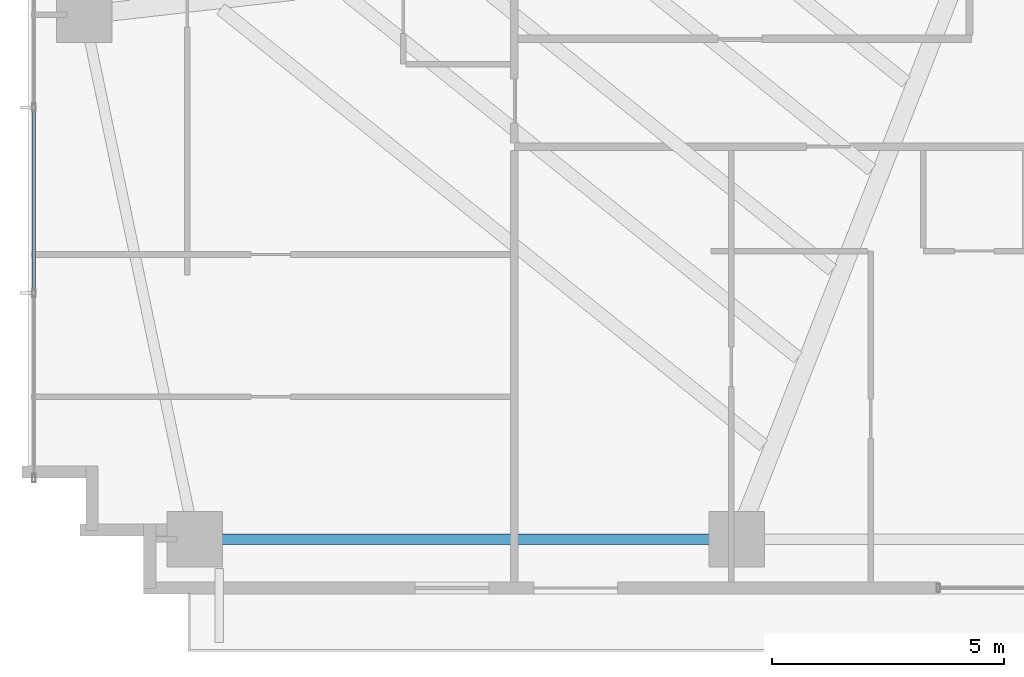
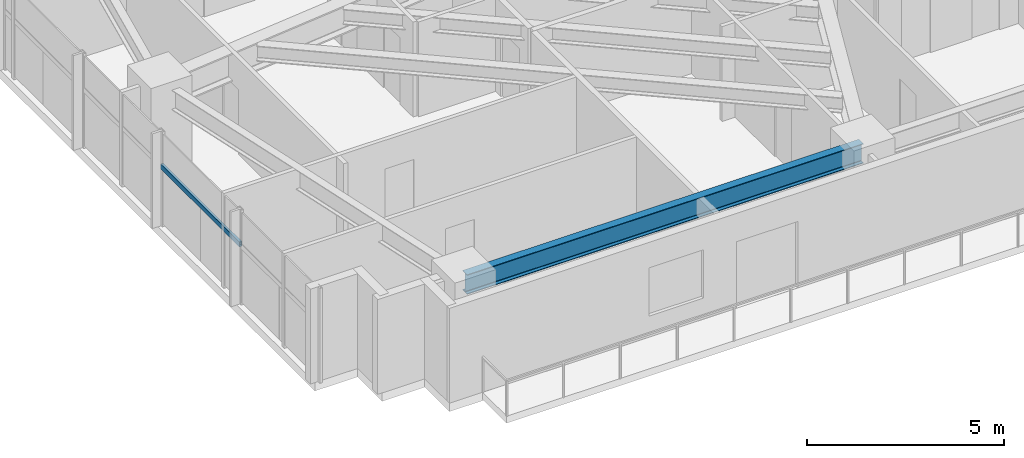
# One storey, part 3 of 25: 1 beam, 1 member, 1 element without a shape of its own.
"""IFC4 building model written with IfcOpenShell, lengths in metres."""

from ifc_helpers import new_model, si_unit, direction, frame, origin, origin_2d, place, context, subcontext, project, spatial, hollow_rectangle, i_section, extrude, source, transform, mapped, material, material_profile, profile_set, type_object, type_shapes, element, aggregate, save


model = new_model("IFC4")

# Units and contexts
model_context = context("Model", 3, precision=1e-05, world=origin(), true_north=direction((0.0, 1.0)))
body_context = subcontext(model_context, "Body", "Model", "MODEL_VIEW")
ifc_project = project(units=[si_unit("LENGTHUNIT", "METRE"), si_unit("AREAUNIT", "SQUARE_METRE"), si_unit("VOLUMEUNIT", "CUBIC_METRE"), si_unit("PLANEANGLEUNIT", "RADIAN"), si_unit("MASSUNIT", "GRAM", prefix="KILO")], contexts=[model_context])

# Site, building, storey
site_placement = place(None, origin())
site = spatial("IfcSite", under=ifc_project, at=site_placement, CompositionType="ELEMENT")
building_placement = place(site_placement, origin())
building = spatial("IfcBuilding", under=site, at=building_placement, Name="Astriad Promenade Condominiums", CompositionType="ELEMENT")
storey_placement = place(building_placement, frame((0.0, 0.0, 51.800048828125)))
storey = spatial("IfcBuildingStorey", under=building, at=storey_placement, Name="L14", CompositionType="ELEMENT", Elevation=51.800048828125)

# Beam
ifc_material_1 = material(Name="Steel ASTM A992 Grade 50", Category="steel")
ifc_material_profile_1 = material_profile(ifc_material_1, i_section(OverallWidth=0.22900390625, OverallDepth=0.612060546875, WebThickness=0.011962890625, FlangeThickness=0.01953125, FilletRadius=0.017822265625, at=origin_2d()), Name="W24X84")
ifc_profile_set_1 = profile_set([ifc_material_profile_1], Name="Steel ASTM A992 Grade 50")
beam_type = type_object("IfcBeamType", Name="STEEL SPANDREL BEAM W24X84", PredefinedType="SPANDREL", material=ifc_profile_set_1)
shared_shape_1 = source(origin(), body_context, "Body", "SweptSolid", [
    extrude(i_section(OverallWidth=0.22900390625, OverallDepth=0.612060546875, WebThickness=0.011962890625, FlangeThickness=0.01953125, FilletRadius=0.017822265625, at=origin_2d()), origin(), (0.0, 0.0, 1.0), 11.6201171875),
])
type_shapes(beam_type, [shared_shape_1])
beam_placement = place(storey_placement, frame((9.43994140625, 3.8798828125, 2.634033203125), z_axis=(1.0, 0.0, 0.0), x_axis=(0.0, 1.0, 0.0)))
element("IfcBeam", 1, at=beam_placement, inside=storey, type_object=beam_type, Name="Perimeter Spandrel Beam SP-S1-L14", PredefinedType="SPANDREL", context=body_context, shape_type="MappedRepresentation", body=[
    mapped(shared_shape_1, transform((0.0, 0.0, 0.0), scale=1.0)),
])

# Curtain wall, member
ifc_material_2 = material(Name="Anodised aluminium Black Dark Glass Unitised", Category="aluminium")
curtain_wall_type = type_object("IfcCurtainWallType", Name="CW-B1-DARK", PredefinedType="USERDEFINED", material=ifc_material_2)
curtain_wall_placement = place(storey_placement, origin())
curtain_wall = element("IfcCurtainWall", 2, at=curtain_wall_placement, inside=storey, type_object=curtain_wall_type, Name="CW-L14-W", ObjectType="UNITISED_CURTAIN_WALL", PredefinedType="USERDEFINED")
ifc_material_3 = material(Name="Anodised aluminium 6063-T6 Black", Category="aluminium")
ifc_material_profile_2 = material_profile(ifc_material_3, hollow_rectangle(XDim=0.074951171875, YDim=0.14990234375, WallThickness=0.004150390625, at=origin_2d()), Name="ALU-TRN-75X150")
ifc_profile_set_2 = profile_set([ifc_material_profile_2], Name="Anodised aluminium 6063-T6 Black")
member_type = type_object("IfcMemberType", Name="TRN-ALU-TRN-75X150", PredefinedType="USERDEFINED", material=ifc_profile_set_2)
shared_shape_2 = source(origin(), body_context, "Body", "SweptSolid", [
    extrude(hollow_rectangle(XDim=0.074951171875, YDim=0.14990234375, WallThickness=0.004150390625, at=origin_2d()), origin(), (0.0, 0.0, 1.0), 4.0),
])
type_shapes(member_type, [shared_shape_2])
member_placement = place(storey_placement, frame((5.929931640625, 9.199951171875, 1.82275390625), z_axis=(0.0, 1.0, 0.0), x_axis=(-1.0, 0.0, 0.0)))
member = element("IfcMember", 3, at=member_placement, type_object=member_type, Name="CW-L14-W-TRN-01-0", ObjectType="TRANSOM", PredefinedType="USERDEFINED", context=body_context, shape_type="MappedRepresentation", body=[
    mapped(shared_shape_2, transform((0.0, 0.0, 0.0), scale=1.0)),
])
aggregate(curtain_wall, [member])

save(model, "model.ifc")
